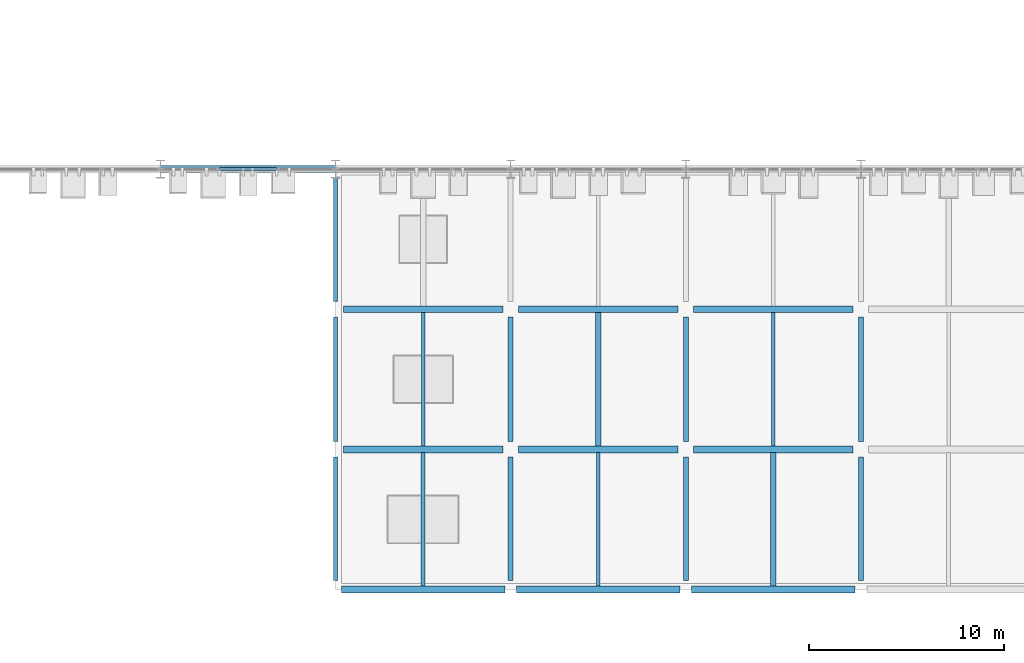
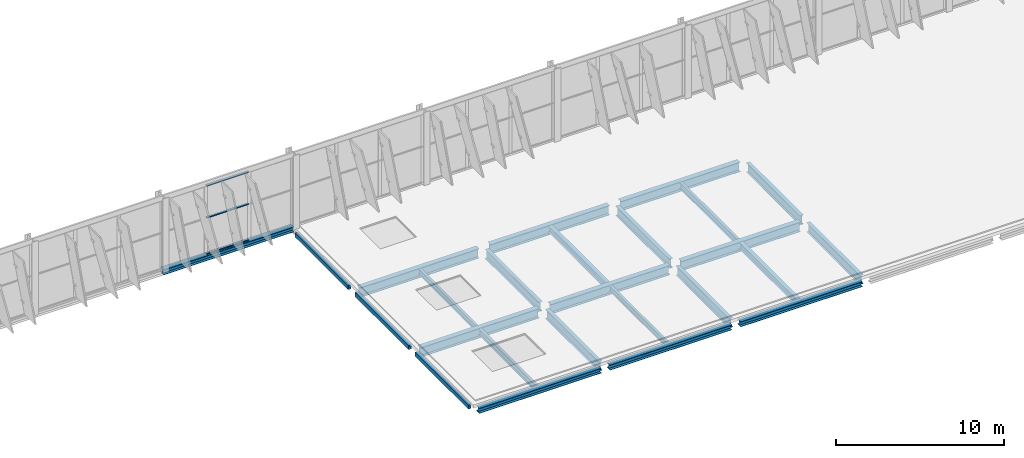
# One storey, part 19 of 189: 25 beams, 3 members, 1 element without a shape of its own.
"""IFC4 building model written with IfcOpenShell, lengths in metres."""

from ifc_helpers import new_model, si_unit, direction, frame, origin, origin_2d, place, context, subcontext, project, spatial, hollow_rectangle, i_section, extrude, material, layer, layer_set, material_profile, profile_set, type_object, element, aggregate, save


model = new_model("IFC4")

# Units and contexts
model_context = context("Model", 3, precision=1e-05, world=origin(), true_north=direction((0.0, 1.0)))
body_context = subcontext(model_context, "Body", "Model", "MODEL_VIEW")
ifc_project = project(units=[si_unit("LENGTHUNIT", "METRE"), si_unit("AREAUNIT", "SQUARE_METRE"), si_unit("VOLUMEUNIT", "CUBIC_METRE"), si_unit("PLANEANGLEUNIT", "RADIAN"), si_unit("MASSUNIT", "GRAM", prefix="KILO")], contexts=[model_context])

# Site, building, storey
site_placement = place(None, origin())
site = spatial("IfcSite", under=ifc_project, at=site_placement, CompositionType="ELEMENT")
building_placement = place(site_placement, origin())
building = spatial("IfcBuilding", under=site, at=building_placement, Name="Celestram Park Convention Centre", CompositionType="ELEMENT")
storey_placement = place(building_placement, frame((0.0, 0.0, 5.39990234375)))
storey = spatial("IfcBuildingStorey", under=building, at=storey_placement, Name="L01", CompositionType="ELEMENT", Elevation=5.39990234375)

# Curtain wall, members
ifc_material_1 = material(Name="Anodised Aluminium Alloy 6063-T6", Category="aluminium")
ifc_layer = layer(ifc_material_1, 0.179931640625)
ifc_layer_set = layer_set([ifc_layer], Name="Anodised Aluminium Alloy 6063-T6")
curtain_wall_type = type_object("IfcCurtainWallType", Name="ARC-CW-898X503", PredefinedType="NOTDEFINED", material=ifc_layer_set)
curtain_wall_placement = place(storey_placement, origin())
curtain_wall = element("IfcCurtainWall", 1, at=curtain_wall_placement, inside=storey, type_object=curtain_wall_type, Name="Unitised curtain wall CU-L01-123", PredefinedType="NOTDEFINED")
ifc_material_profile_1 = material_profile(ifc_material_1, hollow_rectangle(XDim=0.14990234375, YDim=0.06494140625, WallThickness=0.0029296875, at=origin_2d()), Name="ALU150X65X3")
ifc_profile_set_1 = profile_set([ifc_material_profile_1], Name="Anodised Aluminium Alloy 6063-T6")
member_type = type_object("IfcMemberType", Name="ARC-CWT-150", PredefinedType="USERDEFINED", material=ifc_profile_set_1)
member_1_placement = place(storey_placement, frame((32.959228515625, 21.60009765625, 0.03271484375), z_axis=(-1.0, 0.0, 0.0), x_axis=(0.0, -1.0, 0.0)))
member_1 = element("IfcMember", 2, at=member_1_placement, type_object=member_type, Name="CW-89X50 transom 2.1", ObjectType="TRANSOM", PredefinedType="USERDEFINED", context=body_context, shape_type="SweptSolid", body=[
    extrude(hollow_rectangle(XDim=0.14990234375, YDim=0.06494140625, WallThickness=0.0029296875, at=origin_2d()), origin(), (0.0, 0.0, 1.0), 2.91845703125),
])
member_2_placement = place(storey_placement, frame((32.959228515625, 21.60009765625, 2.650146484375), z_axis=(-1.0, 0.0, 0.0), x_axis=(0.0, -1.0, 0.0)))
member_2 = element("IfcMember", 3, at=member_2_placement, type_object=member_type, Name="CW-89X50 transom 2.2", ObjectType="TRANSOM", PredefinedType="USERDEFINED", context=body_context, shape_type="SweptSolid", body=[
    extrude(hollow_rectangle(XDim=0.14990234375, YDim=0.06494140625, WallThickness=0.0029296875, at=origin_2d()), origin(), (0.0, 0.0, 1.0), 2.91845703125),
])
member_3_placement = place(storey_placement, frame((32.959228515625, 21.60009765625, 4.99462890625), z_axis=(-1.0, 0.0, 0.0), x_axis=(0.0, -1.0, 0.0)))
member_3 = element("IfcMember", 4, at=member_3_placement, type_object=member_type, Name="CW-89X50 transom 2.3", ObjectType="TRANSOM", PredefinedType="USERDEFINED", context=body_context, shape_type="SweptSolid", body=[
    extrude(hollow_rectangle(XDim=0.14990234375, YDim=0.06494140625, WallThickness=0.0029296875, at=origin_2d()), origin(), (0.0, 0.0, 1.0), 2.91845703125),
])
aggregate(curtain_wall, [member_1, member_2, member_3])

# Beams
ifc_material_2 = material(Name="Steel ASTM A992 Grade 50", Category="steel")
ifc_material_profile_2 = material_profile(ifc_material_2, i_section(OverallWidth=0.35595703125, OverallDepth=0.696044921875, WebThickness=0.015380859375, FlangeThickness=0.02490234375, at=origin_2d()), Name="W27X146")
ifc_profile_set_2 = profile_set([ifc_material_profile_2], Name="Steel ASTM A992 Grade 50")
beam_type_1 = type_object("IfcBeamType", Name="STR-BM-W27X146", PredefinedType="BEAM", material=ifc_profile_set_2)
for number, where, z_axis, x_axis, name in (
    (5, (36.39794921875, 7.199951171875, -0.587890625), (1.0, 0.0, 0.0), (0.0, 1.0, 0.0), "Primary X-girder BG-L01-0038"),
    (6, (36.39794921875, 14.39990234375, -0.587890625), (1.0, 0.0, 0.0), (0.0, 1.0, 0.0), "Primary X-girder BG-L01-0040"),
    (7, (45.39794921875, 7.199951171875, -0.587890625), (1.0, 0.0, 0.0), (0.0, 1.0, 0.0), "Primary X-girder BG-L01-0059"),
    (8, (45.39794921875, 14.39990234375, -0.587890625), (1.0, 0.0, 0.0), (0.0, 1.0, 0.0), "Primary X-girder BG-L01-0061"),
    (9, (54.39794921875, 7.199951171875, -0.587890625), (1.0, 0.0, 0.0), (0.0, 1.0, 0.0), "Primary X-girder BG-L01-0082"),
    (10, (54.39794921875, 14.39990234375, -0.587890625), (1.0, 0.0, 0.0), (0.0, 1.0, 0.0), "Primary X-girder BG-L01-0084"),
):
    element("IfcBeam", number, at=place(storey_placement, frame(where, z_axis=z_axis, x_axis=x_axis)), inside=storey, type_object=beam_type_1, Name=name, PredefinedType="BEAM", context=body_context, shape_type="SweptSolid", body=[
        extrude(i_section(OverallWidth=0.35595703125, OverallDepth=0.696044921875, WebThickness=0.015380859375, FlangeThickness=0.02490234375, at=origin_2d()), origin(), (0.0, 0.0, 1.0), 8.2041015625),
    ])
ifc_material_profile_3 = material_profile(ifc_material_2, i_section(OverallWidth=0.25390625, OverallDepth=0.68310546875, WebThickness=0.012451171875, FlangeThickness=0.01904296875, at=origin_2d()), Name="W27X94")
ifc_profile_set_3 = profile_set([ifc_material_profile_3], Name="Steel ASTM A992 Grade 50")
beam_type_2 = type_object("IfcBeamType", Name="STR-BM-W27X94", PredefinedType="BEAM", material=ifc_profile_set_3)
beam_1_placement = place(storey_placement, frame((45.0, 0.447998046875, -0.581298828125), z_axis=(0.0, 1.0, 0.0), x_axis=(-1.0, 0.0, 0.0)))
element("IfcBeam", 11, at=beam_1_placement, inside=storey, type_object=beam_type_2, Name="Primary Y-girder BG-L01-0058", PredefinedType="BEAM", context=body_context, shape_type="SweptSolid", body=[
    extrude(i_section(OverallWidth=0.25390625, OverallDepth=0.68310546875, WebThickness=0.012451171875, FlangeThickness=0.01904296875, at=origin_2d()), origin(), (0.0, 0.0, 1.0), 6.35400390625),
])
beam_2_placement = place(storey_placement, frame((45.0, 7.597900390625, -0.581298828125), z_axis=(0.0, 1.0, 0.0), x_axis=(-1.0, 0.0, 0.0)))
element("IfcBeam", 12, at=beam_2_placement, inside=storey, type_object=beam_type_2, Name="Primary Y-girder BG-L01-0060", PredefinedType="BEAM", context=body_context, shape_type="SweptSolid", body=[
    extrude(i_section(OverallWidth=0.25390625, OverallDepth=0.68310546875, WebThickness=0.012451171875, FlangeThickness=0.01904296875, at=origin_2d()), origin(), (0.0, 0.0, 1.0), 6.404052734375),
])
beam_3_placement = place(storey_placement, frame((54.0, 0.447998046875, -0.581298828125), z_axis=(0.0, 1.0, 0.0), x_axis=(-1.0, 0.0, 0.0)))
element("IfcBeam", 13, at=beam_3_placement, inside=storey, type_object=beam_type_2, Name="Primary Y-girder BG-L01-0081", PredefinedType="BEAM", context=body_context, shape_type="SweptSolid", body=[
    extrude(i_section(OverallWidth=0.25390625, OverallDepth=0.68310546875, WebThickness=0.012451171875, FlangeThickness=0.01904296875, at=origin_2d()), origin(), (0.0, 0.0, 1.0), 6.35400390625),
])
beam_4_placement = place(storey_placement, frame((54.0, 7.597900390625, -0.581298828125), z_axis=(0.0, 1.0, 0.0), x_axis=(-1.0, 0.0, 0.0)))
element("IfcBeam", 14, at=beam_4_placement, inside=storey, type_object=beam_type_2, Name="Primary Y-girder BG-L01-0083", PredefinedType="BEAM", context=body_context, shape_type="SweptSolid", body=[
    extrude(i_section(OverallWidth=0.25390625, OverallDepth=0.68310546875, WebThickness=0.012451171875, FlangeThickness=0.01904296875, at=origin_2d()), origin(), (0.0, 0.0, 1.0), 6.404052734375),
])
beam_5_placement = place(storey_placement, frame((63.0, 0.447998046875, -0.581298828125), z_axis=(0.0, 1.0, 0.0), x_axis=(-1.0, 0.0, 0.0)))
element("IfcBeam", 15, at=beam_5_placement, inside=storey, type_object=beam_type_2, Name="Primary Y-girder BG-L01-0102", PredefinedType="BEAM", context=body_context, shape_type="SweptSolid", body=[
    extrude(i_section(OverallWidth=0.25390625, OverallDepth=0.68310546875, WebThickness=0.012451171875, FlangeThickness=0.01904296875, at=origin_2d()), origin(), (0.0, 0.0, 1.0), 6.35400390625),
])
beam_6_placement = place(storey_placement, frame((63.0, 7.597900390625, -0.581298828125), z_axis=(0.0, 1.0, 0.0), x_axis=(-1.0, 0.0, 0.0)))
element("IfcBeam", 16, at=beam_6_placement, inside=storey, type_object=beam_type_2, Name="Primary Y-girder BG-L01-0104", PredefinedType="BEAM", context=body_context, shape_type="SweptSolid", body=[
    extrude(i_section(OverallWidth=0.25390625, OverallDepth=0.68310546875, WebThickness=0.012451171875, FlangeThickness=0.01904296875, at=origin_2d()), origin(), (0.0, 0.0, 1.0), 6.404052734375),
])
ifc_material_profile_4 = material_profile(ifc_material_2, i_section(OverallWidth=0.177978515625, OverallDepth=0.406005859375, WebThickness=0.0078125, FlangeThickness=0.0126953125, at=origin_2d()), Name="W16X40")
ifc_profile_set_4 = profile_set([ifc_material_profile_4], Name="Steel ASTM A992 Grade 50")
beam_type_3 = type_object("IfcBeamType", Name="STR-JST-W16X40", PredefinedType="JOIST", material=ifc_profile_set_4)
beam_7_placement = place(storey_placement, frame((40.5, 7.3740234375, -0.44287109375), z_axis=(0.0, 1.0, 0.0), x_axis=(-1.0, 0.0, 0.0)))
element("IfcBeam", 17, at=beam_7_placement, inside=storey, type_object=beam_type_3, Name="Secondary composite joist BG-L01-0560", PredefinedType="JOIST", context=body_context, shape_type="SweptSolid", body=[
    extrude(i_section(OverallWidth=0.177978515625, OverallDepth=0.406005859375, WebThickness=0.0078125, FlangeThickness=0.0126953125, at=origin_2d()), origin(), (0.0, 0.0, 1.0), 6.85205078125),
])
beam_8_placement = place(storey_placement, frame((49.5, 0.181884765625, -0.44287109375), z_axis=(0.0, 1.0, 0.0), x_axis=(-1.0, 0.0, 0.0)))
element("IfcBeam", 18, at=beam_8_placement, inside=storey, type_object=beam_type_3, Name="Secondary composite joist BG-L01-0565", PredefinedType="JOIST", context=body_context, shape_type="SweptSolid", body=[
    extrude(i_section(OverallWidth=0.177978515625, OverallDepth=0.406005859375, WebThickness=0.0078125, FlangeThickness=0.0126953125, at=origin_2d()), origin(), (0.0, 0.0, 1.0), 6.843994140625),
])
ifc_material_profile_5 = material_profile(ifc_material_2, i_section(OverallWidth=0.19091796875, OverallDepth=0.45703125, WebThickness=0.009033203125, FlangeThickness=0.014404296875, at=origin_2d()), Name="W18X50")
ifc_profile_set_5 = profile_set([ifc_material_profile_5], Name="Steel ASTM A992 Grade 50")
beam_type_4 = type_object("IfcBeamType", Name="STR-JST-W18X50", PredefinedType="JOIST", material=ifc_profile_set_5)
beam_9_placement = place(storey_placement, frame((40.5, 0.181884765625, -0.468505859375), z_axis=(0.0, 1.0, 0.0), x_axis=(-1.0, 0.0, 0.0)))
element("IfcBeam", 19, at=beam_9_placement, inside=storey, type_object=beam_type_4, Name="Secondary composite joist BG-L01-0559", PredefinedType="JOIST", context=body_context, shape_type="SweptSolid", body=[
    extrude(i_section(OverallWidth=0.19091796875, OverallDepth=0.45703125, WebThickness=0.009033203125, FlangeThickness=0.014404296875, at=origin_2d()), origin(), (0.0, 0.0, 1.0), 6.843994140625),
])
beam_10_placement = place(storey_placement, frame((58.5, 7.3740234375, -0.468505859375), z_axis=(0.0, 1.0, 0.0), x_axis=(-1.0, 0.0, 0.0)))
element("IfcBeam", 20, at=beam_10_placement, inside=storey, type_object=beam_type_4, Name="Secondary composite joist BG-L01-0574", PredefinedType="JOIST", context=body_context, shape_type="SweptSolid", body=[
    extrude(i_section(OverallWidth=0.19091796875, OverallDepth=0.45703125, WebThickness=0.009033203125, FlangeThickness=0.014404296875, at=origin_2d()), origin(), (0.0, 0.0, 1.0), 6.85205078125),
])
ifc_material_profile_6 = material_profile(ifc_material_2, i_section(OverallWidth=0.281982421875, OverallDepth=0.467041015625, WebThickness=0.01220703125, FlangeThickness=0.01953125, at=origin_2d()), Name="W18X86")
ifc_profile_set_6 = profile_set([ifc_material_profile_6], Name="Steel ASTM A992 Grade 50")
beam_type_5 = type_object("IfcBeamType", Name="STR-JST-W18X86", PredefinedType="JOIST", material=ifc_profile_set_6)
beam_11_placement = place(storey_placement, frame((49.5, 7.3740234375, -0.473388671875), z_axis=(0.0, 1.0, 0.0), x_axis=(-1.0, 0.0, 0.0)))
element("IfcBeam", 21, at=beam_11_placement, inside=storey, type_object=beam_type_5, Name="Secondary composite joist BG-L01-0566", PredefinedType="JOIST", context=body_context, shape_type="SweptSolid", body=[
    extrude(i_section(OverallWidth=0.281982421875, OverallDepth=0.467041015625, WebThickness=0.01220703125, FlangeThickness=0.01953125, at=origin_2d()), origin(), (0.0, 0.0, 1.0), 6.85205078125),
])
beam_12_placement = place(storey_placement, frame((58.5, 0.181884765625, -0.473388671875), z_axis=(0.0, 1.0, 0.0), x_axis=(-1.0, 0.0, 0.0)))
element("IfcBeam", 22, at=beam_12_placement, inside=storey, type_object=beam_type_5, Name="Secondary composite joist BG-L01-0573", PredefinedType="JOIST", context=body_context, shape_type="SweptSolid", body=[
    extrude(i_section(OverallWidth=0.281982421875, OverallDepth=0.467041015625, WebThickness=0.01220703125, FlangeThickness=0.01953125, at=origin_2d()), origin(), (0.0, 0.0, 1.0), 6.843994140625),
])
ifc_material_3 = material(Name="Steel ASTM A500 Grade C", Category="steel")
ifc_material_profile_7 = material_profile(ifc_material_3, hollow_rectangle(XDim=0.199951171875, YDim=0.300048828125, WallThickness=0.011962890625, at=origin_2d()), Name="HSS300X200X12")
ifc_profile_set_7 = profile_set([ifc_material_profile_7], Name="Steel ASTM A500 Grade C")
beam_type_6 = type_object("IfcBeamType", Name="STR-SPN-HSS300X200", PredefinedType="SPANDREL", material=ifc_profile_set_7)
beam_13_placement = place(storey_placement, frame((36.0, 0.447998046875, -0.389892578125), z_axis=(0.0, 1.0, 0.0), x_axis=(-1.0, 0.0, 0.0)))
element("IfcBeam", 23, at=beam_13_placement, inside=storey, type_object=beam_type_6, Name="Primary Y-girder BG-L01-0037", PredefinedType="SPANDREL", context=body_context, shape_type="SweptSolid", body=[
    extrude(hollow_rectangle(XDim=0.199951171875, YDim=0.300048828125, WallThickness=0.011962890625, at=origin_2d()), origin(), (0.0, 0.0, 1.0), 6.35400390625),
])
beam_14_placement = place(storey_placement, frame((36.0, 7.597900390625, -0.389892578125), z_axis=(0.0, 1.0, 0.0), x_axis=(-1.0, 0.0, 0.0)))
element("IfcBeam", 24, at=beam_14_placement, inside=storey, type_object=beam_type_6, Name="Primary Y-girder BG-L01-0039", PredefinedType="SPANDREL", context=body_context, shape_type="SweptSolid", body=[
    extrude(hollow_rectangle(XDim=0.199951171875, YDim=0.300048828125, WallThickness=0.011962890625, at=origin_2d()), origin(), (0.0, 0.0, 1.0), 6.404052734375),
])
beam_15_placement = place(storey_placement, frame((36.0, 14.798095703125, -0.389892578125), z_axis=(0.0, 1.0, 0.0), x_axis=(-1.0, 0.0, 0.0)))
element("IfcBeam", 25, at=beam_15_placement, inside=storey, type_object=beam_type_6, Name="Primary Y-girder BG-L01-0041", PredefinedType="SPANDREL", context=body_context, shape_type="SweptSolid", body=[
    extrude(hollow_rectangle(XDim=0.199951171875, YDim=0.300048828125, WallThickness=0.011962890625, at=origin_2d()), origin(), (0.0, 0.0, 1.0), 6.337890625),
])
ifc_material_profile_8 = material_profile(ifc_material_2, i_section(OverallWidth=0.373046875, OverallDepth=0.373046875, WebThickness=0.016357421875, FlangeThickness=0.026123046875, at=origin_2d()), Name="W14X132")
ifc_profile_set_8 = profile_set([ifc_material_profile_8], Name="Steel ASTM A992 Grade 50")
beam_type_7 = type_object("IfcBeamType", Name="STR-SPN-W14X132", PredefinedType="SPANDREL", material=ifc_profile_set_8)
for number, where, z_axis, x_axis, name in (
    (26, (36.298095703125, 0.0, -0.426513671875), (1.0, 0.0, 0.0), (0.0, 1.0, 0.0), "Primary X-girder BG-L01-0036"),
    (27, (45.298095703125, 0.0, -0.426513671875), (1.0, 0.0, 0.0), (0.0, 1.0, 0.0), "Primary X-girder BG-L01-0057"),
    (28, (54.298095703125, 0.0, -0.426513671875), (1.0, 0.0, 0.0), (0.0, 1.0, 0.0), "Primary X-girder BG-L01-0080"),
):
    element("IfcBeam", number, at=place(storey_placement, frame(where, z_axis=z_axis, x_axis=x_axis)), inside=storey, type_object=beam_type_7, Name=name, PredefinedType="SPANDREL", context=body_context, shape_type="SweptSolid", body=[
        extrude(i_section(OverallWidth=0.373046875, OverallDepth=0.373046875, WebThickness=0.016357421875, FlangeThickness=0.026123046875, at=origin_2d()), origin(), (0.0, 0.0, 1.0), 8.40380859375),
    ])
beam_16_placement = place(storey_placement, frame((27.010009765625, 21.60009765625, -0.1865234375), z_axis=(1.0, 0.0, 0.0), x_axis=(0.0, 1.0, 0.0)))
element("IfcBeam", 29, at=beam_16_placement, inside=storey, type_object=beam_type_7, Name="High-bay perimeter spandrel SPB-L01-016", PredefinedType="SPANDREL", context=body_context, shape_type="SweptSolid", body=[
    extrude(i_section(OverallWidth=0.373046875, OverallDepth=0.373046875, WebThickness=0.016357421875, FlangeThickness=0.026123046875, at=origin_2d()), origin(), (0.0, 0.0, 1.0), 8.97998046875),
])

save(model, "model.ifc")
